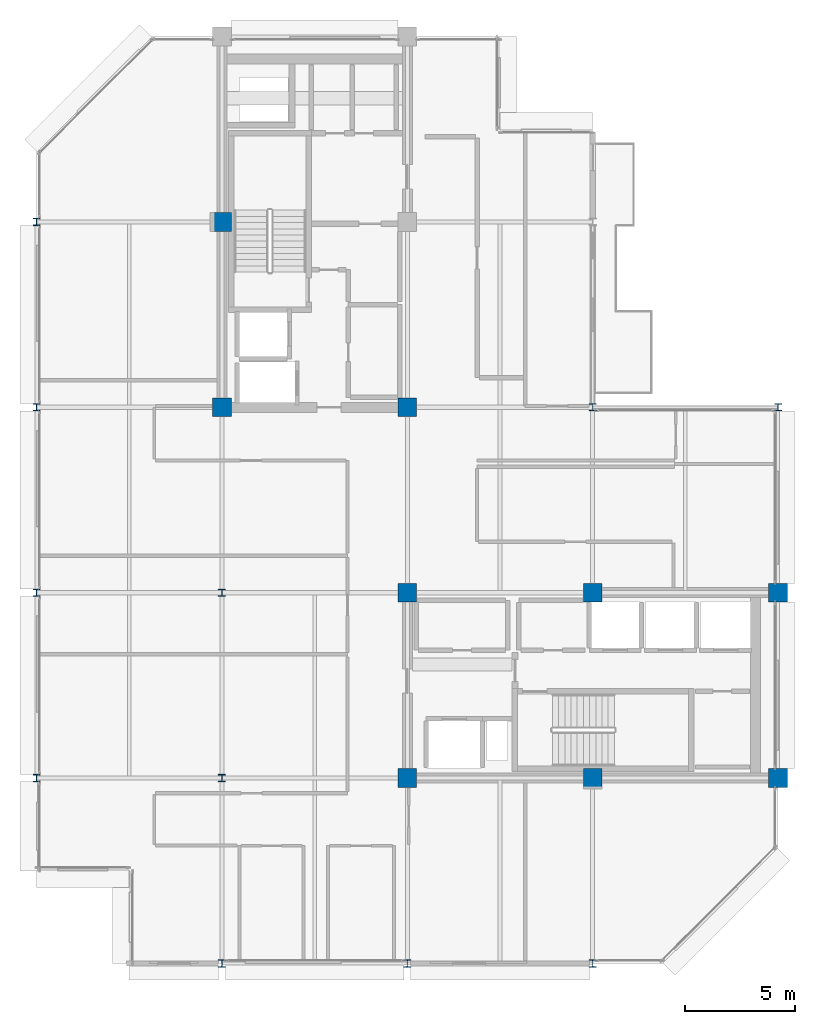
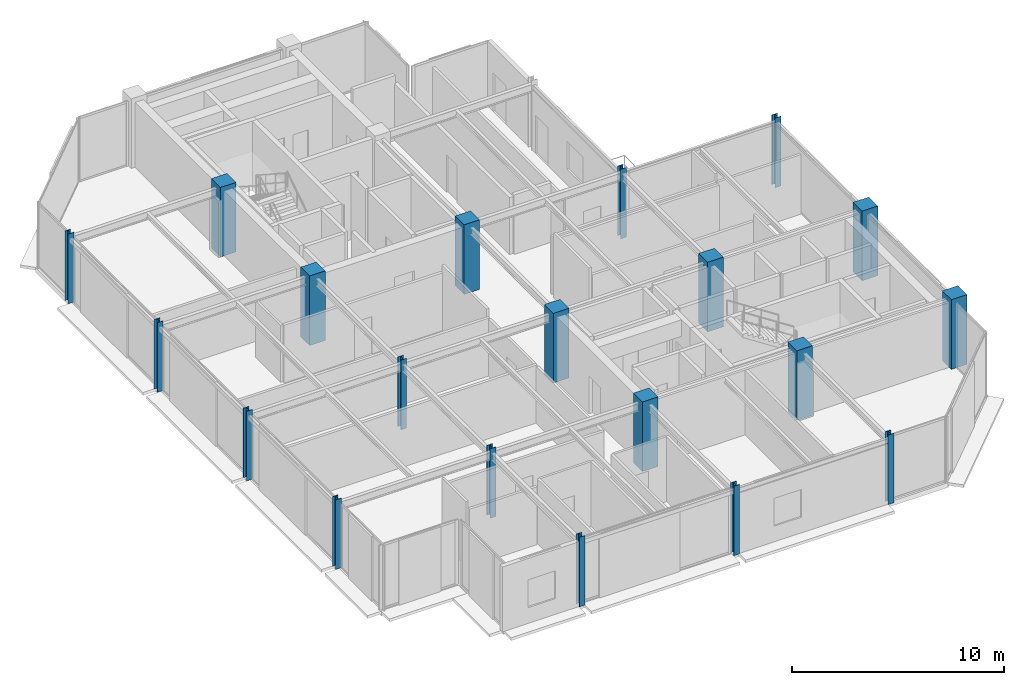
# One storey, part 1 of 25: 20 columns.
"""IFC4 building model written with IfcOpenShell, lengths in metres."""

from ifc_helpers import new_model, si_unit, direction, frame, origin, origin_2d, place, context, subcontext, project, spatial, rectangle, i_section, extrude, material, material_profile, profile_set, type_object, element, save


model = new_model("IFC4")

# Units and contexts
model_context = context("Model", 3, precision=1e-05, world=origin(), true_north=direction((0.0, 1.0)))
body_context = subcontext(model_context, "Body", "Model", "MODEL_VIEW")
ifc_project = project(units=[si_unit("LENGTHUNIT", "METRE"), si_unit("AREAUNIT", "SQUARE_METRE"), si_unit("VOLUMEUNIT", "CUBIC_METRE"), si_unit("PLANEANGLEUNIT", "RADIAN"), si_unit("MASSUNIT", "GRAM", prefix="KILO")], contexts=[model_context])

# Site, building, storey
site_placement = place(None, origin())
site = spatial("IfcSite", under=ifc_project, at=site_placement, CompositionType="ELEMENT")
building_placement = place(site_placement, origin())
building = spatial("IfcBuilding", under=site, at=building_placement, Name="Nerrivon Quay Data Exchange", CompositionType="ELEMENT")
storey_placement = place(building_placement, frame((0.0, 0.0, 290.199951171875)))
storey = spatial("IfcBuildingStorey", under=building, at=storey_placement, Name="L69", CompositionType="ELEMENT", Elevation=290.199951171875)

# Columns
ifc_material_1 = material(Name="Concrete N50 (50 MPa)", Category="concrete")
ifc_material_profile_1 = material_profile(ifc_material_1, rectangle(XDim=0.85009765625, YDim=0.85009765625, at=origin_2d()), Name="RC-COL-850x850")
ifc_profile_set_1 = profile_set([ifc_material_profile_1], Name="Concrete N50 (50 MPa)")
column_type_1 = type_object("IfcColumnType", Name="COL-C5-850", PredefinedType="COLUMN", material=ifc_profile_set_1)
for number, where, z_axis, x_axis, name in (
    (1, (8.39990234375, 25.199951171875, 0.0), (0.0, 0.0, 1.0), (1.0, 0.0, 0.0), "L69 Column (8.4,25.2)"),
    (2, (8.39990234375, 33.60009765625, 0.0), (0.0, 0.0, 1.0), (1.0, 0.0, 0.0), "L69 Column (8.4,33.6)"),
    (3, (16.800048828125, 8.39990234375, 0.0), (0.0, 0.0, 1.0), (1.0, 0.0, 0.0), "L69 Column (16.8,8.4)"),
    (4, (16.800048828125, 16.800048828125, 0.0), (0.0, 0.0, 1.0), (1.0, 0.0, 0.0), "L69 Column (16.8,16.8)"),
    (5, (16.800048828125, 25.199951171875, 0.0), (0.0, 0.0, 1.0), (1.0, 0.0, 0.0), "L69 Column (16.8,25.2)"),
    (6, (25.199951171875, 8.39990234375, 0.0), (0.0, 0.0, 1.0), (1.0, 0.0, 0.0), "L69 Column (25.2,8.4)"),
    (7, (25.199951171875, 16.800048828125, 0.0), (0.0, 0.0, 1.0), (1.0, 0.0, 0.0), "L69 Column (25.2,16.8)"),
    (8, (33.60009765625, 8.39990234375, 0.0), (0.0, 0.0, 1.0), (1.0, 0.0, 0.0), "L69 Column (33.6,8.4)"),
    (9, (33.60009765625, 16.800048828125, 0.0), (0.0, 0.0, 1.0), (1.0, 0.0, 0.0), "L69 Column (33.6,16.8)"),
):
    element("IfcColumn", number, at=place(storey_placement, frame(where, z_axis=z_axis, x_axis=x_axis)), inside=storey, type_object=column_type_1, Name=name, PredefinedType="COLUMN", context=body_context, shape_type="SweptSolid", body=[
        extrude(rectangle(XDim=0.85009765625, YDim=0.85009765625, at=origin_2d()), origin(), (0.0, 0.0, 1.0), 4.0),
    ])
ifc_material_2 = material(Name="Steel Grade 350", Category="steel")
ifc_material_profile_2 = material_profile(ifc_material_2, i_section(OverallWidth=0.31103515625, OverallDepth=0.326904296875, WebThickness=0.015625, FlangeThickness=0.02490234375, FilletRadius=0.0166015625, at=origin_2d()), Name="310UC158")
ifc_profile_set_2 = profile_set([ifc_material_profile_2], Name="Steel Grade 350")
column_type_2 = type_object("IfcColumnType", Name="COL-SC4-310UC158", PredefinedType="COLUMN", material=ifc_profile_set_2)
for number, where, z_axis, x_axis, name in (
    (10, (0.0, 8.39990234375, 0.0), (0.0, 0.0, 1.0), (1.0, 0.0, 0.0), "L69 Column (0.0,8.4)"),
    (11, (0.0, 16.800048828125, 0.0), (0.0, 0.0, 1.0), (1.0, 0.0, 0.0), "L69 Column (0.0,16.8)"),
    (12, (0.0, 25.199951171875, 0.0), (0.0, 0.0, 1.0), (1.0, 0.0, 0.0), "L69 Column (0.0,25.2)"),
    (13, (0.0, 33.60009765625, 0.0), (0.0, 0.0, 1.0), (1.0, 0.0, 0.0), "L69 Column (0.0,33.6)"),
    (14, (8.39990234375, 0.0, 0.0), (0.0, 0.0, 1.0), (1.0, 0.0, 0.0), "L69 Column (8.4,0.0)"),
    (15, (8.39990234375, 8.39990234375, 0.0), (0.0, 0.0, 1.0), (1.0, 0.0, 0.0), "L69 Column (8.4,8.4)"),
    (16, (8.39990234375, 16.800048828125, 0.0), (0.0, 0.0, 1.0), (1.0, 0.0, 0.0), "L69 Column (8.4,16.8)"),
    (17, (16.800048828125, 0.0, 0.0), (0.0, 0.0, 1.0), (1.0, 0.0, 0.0), "L69 Column (16.8,0.0)"),
    (18, (25.199951171875, 0.0, 0.0), (0.0, 0.0, 1.0), (1.0, 0.0, 0.0), "L69 Column (25.2,0.0)"),
    (19, (25.199951171875, 25.199951171875, 0.0), (0.0, 0.0, 1.0), (1.0, 0.0, 0.0), "L69 Column (25.2,25.2)"),
    (20, (33.60009765625, 25.199951171875, 0.0), (0.0, 0.0, 1.0), (1.0, 0.0, 0.0), "L69 Column (33.6,25.2)"),
):
    element("IfcColumn", number, at=place(storey_placement, frame(where, z_axis=z_axis, x_axis=x_axis)), inside=storey, type_object=column_type_2, Name=name, PredefinedType="COLUMN", context=body_context, shape_type="SweptSolid", body=[
        extrude(i_section(OverallWidth=0.31103515625, OverallDepth=0.326904296875, WebThickness=0.015625, FlangeThickness=0.02490234375, FilletRadius=0.0166015625, at=origin_2d()), origin(), (0.0, 0.0, 1.0), 4.0),
    ])

save(model, "model.ifc")
